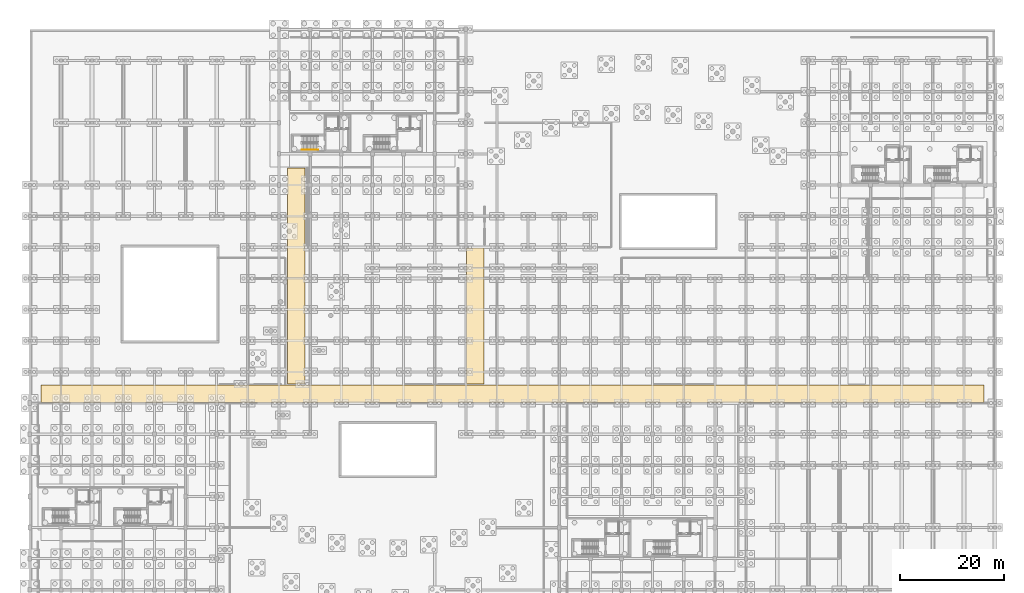
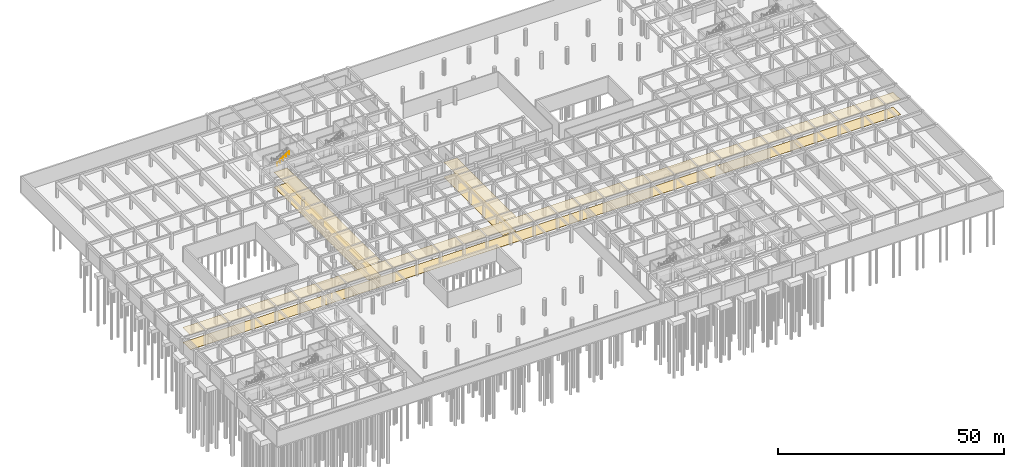
# One storey, part 38 of 41: 6 coverings, 1 railing.
"""IFC4 building model written with IfcOpenShell, lengths in metres."""

from ifc_helpers import new_model, si_unit, direction, frame, origin, origin_2d, place, context, subcontext, project, spatial, polyline, circle, outline, extrude, material, layer, layer_set, type_object, element, save


model = new_model("IFC4")

# Units and contexts
model_context = context("Model", 3, precision=1e-05, world=origin(), true_north=direction((0.0, 1.0)))
body_context = subcontext(model_context, "Body", "Model", "MODEL_VIEW")
ifc_project = project(units=[si_unit("LENGTHUNIT", "METRE"), si_unit("AREAUNIT", "SQUARE_METRE"), si_unit("VOLUMEUNIT", "CUBIC_METRE"), si_unit("PLANEANGLEUNIT", "RADIAN"), si_unit("MASSUNIT", "GRAM", prefix="KILO"), si_unit("POWERUNIT", "WATT"), si_unit("THERMODYNAMICTEMPERATUREUNIT", "KELVIN")], contexts=[model_context])

# Site, building, storey
site_placement = place(None, origin())
site = spatial("IfcSite", under=ifc_project, at=site_placement, CompositionType="ELEMENT")
building_placement = place(site_placement, origin())
building = spatial("IfcBuilding", under=site, at=building_placement, Name="Ruvembo Vaulted Housing Court", CompositionType="ELEMENT")
storey_placement = place(building_placement, frame((0.0, 0.0, -4.5)))
storey = spatial("IfcBuildingStorey", under=building, at=storey_placement, Name="B1", CompositionType="ELEMENT", Elevation=-4.5)

# Coverings
ifc_material_1 = material(Name="Perforated Mineral-Fibre Acoustic Tile", Category="gypsum")
ifc_layer_1 = layer(ifc_material_1, 0.02001953125, Name="Perforated Mineral-Fibre Acoustic Tile")
ifc_layer_set_1 = layer_set([ifc_layer_1], Name="Perforated Mineral-Fibre Acoustic Tile")
covering_type_1 = type_object("IfcCoveringType", Name="COV-CEIL-ACOUST", PredefinedType="CEILING", material=ifc_layer_set_1)
covering_1_placement = place(storey_placement, frame((0.0, 0.0, 4.02001953125)))
element("IfcCovering", 1, at=covering_1_placement, inside=storey, type_object=covering_type_1, Name="Basement Main E-W Spine Corridor Ceiling", PredefinedType="CEILING", context=body_context, shape_type="SweptSolid", body=[
    extrude(outline(polyline([(2.110107421875, 42.110107421875), (183.889892578125, 42.110107421875), (183.889892578125, 45.489990234375), (2.110107421875, 45.489990234375), (2.110107421875, 42.110107421875)])), origin(), (0.0, 0.0, 1.0), 0.02001953125),
])
covering_2_placement = place(storey_placement, frame((0.0, 0.0, 4.02001953125)))
element("IfcCovering", 2, at=covering_2_placement, inside=storey, type_object=covering_type_1, Name="Basement North-Central Link Corridor Ceiling", PredefinedType="CEILING", context=body_context, shape_type="SweptSolid", body=[
    extrude(outline(polyline([(49.610107421875, 45.7099609375), (52.989990234375, 45.7099609375), (52.989990234375, 87.2900390625), (49.610107421875, 87.2900390625), (49.610107421875, 45.7099609375)])), origin(), (0.0, 0.0, 1.0), 0.02001953125),
])
covering_3_placement = place(storey_placement, frame((0.0, 0.0, 4.02001953125)))
element("IfcCovering", 3, at=covering_3_placement, inside=storey, type_object=covering_type_1, Name="Basement Central Cistern Passage Ceiling", PredefinedType="CEILING", context=body_context, shape_type="SweptSolid", body=[
    extrude(outline(polyline([(87.489990234375, 45.7099609375), (87.489990234375, 71.889892578125), (84.110107421875, 71.889892578125), (84.110107421875, 45.7099609375), (87.489990234375, 45.7099609375)])), origin(), (0.0, 0.0, 1.0), 0.02001953125),
])
ifc_material_2 = material(Name="Polished Cement-Aggregate Terrazzo", Category="stone")
ifc_layer_2 = layer(ifc_material_2, 0.02197265625, Name="Polished Cement-Aggregate Terrazzo")
ifc_layer_set_2 = layer_set([ifc_layer_2], Name="Polished Cement-Aggregate Terrazzo")
covering_type_2 = type_object("IfcCoveringType", Name="COV-FLR-CERAMIC", PredefinedType="FLOORING", material=ifc_layer_set_2)
covering_4_placement = place(storey_placement, origin())
element("IfcCovering", 4, at=covering_4_placement, inside=storey, type_object=covering_type_2, Name="Basement Main E-W Spine Corridor Flooring", PredefinedType="FLOORING", context=body_context, shape_type="SweptSolid", body=[
    extrude(outline(polyline([(2.110107421875, 42.110107421875), (183.889892578125, 42.110107421875), (183.889892578125, 45.489990234375), (2.110107421875, 45.489990234375), (2.110107421875, 42.110107421875)])), origin(), (0.0, 0.0, 1.0), 0.02197265625),
])
covering_5_placement = place(storey_placement, origin())
element("IfcCovering", 5, at=covering_5_placement, inside=storey, type_object=covering_type_2, Name="Basement North-Central Link Corridor Flooring", PredefinedType="FLOORING", context=body_context, shape_type="SweptSolid", body=[
    extrude(outline(polyline([(49.610107421875, 45.7099609375), (52.989990234375, 45.7099609375), (52.989990234375, 87.2900390625), (49.610107421875, 87.2900390625), (49.610107421875, 45.7099609375)])), origin(), (0.0, 0.0, 1.0), 0.02197265625),
])
covering_6_placement = place(storey_placement, origin())
element("IfcCovering", 6, at=covering_6_placement, inside=storey, type_object=covering_type_2, Name="Basement Central Cistern Passage Flooring", PredefinedType="FLOORING", context=body_context, shape_type="SweptSolid", body=[
    extrude(outline(polyline([(87.489990234375, 45.7099609375), (87.489990234375, 71.889892578125), (84.110107421875, 71.889892578125), (84.110107421875, 45.7099609375), (87.489990234375, 45.7099609375)])), origin(), (0.0, 0.0, 1.0), 0.02197265625),
])

# Railing
ifc_material_3 = material(Name="Brushed Stainless Steel 304", Category="steel")
ifc_layer_3 = layer(ifc_material_3, 0.050048828125, Name="Brushed Stainless Steel 304")
ifc_layer_set_3 = layer_set([ifc_layer_3], Name="Brushed Stainless Steel 304")
railing_type = type_object("IfcRailingType", Name="RL-STAIR-HR920", PredefinedType="HANDRAIL", material=ifc_layer_set_3)
railing_placement = place(storey_placement, frame((52.419921875, 90.800048828125, 2.629150390625)))
element("IfcRailing", 7, at=railing_placement, inside=storey, type_object=railing_type, Name="B1 ST-B1 stair handrail 2", PredefinedType="HANDRAIL", context=body_context, shape_type="SweptSolid", body=[
    extrude(circle(Radius=0.02392578125, at=origin_2d()), frame((0.0, 0.0, 0.8759765625), z_axis=(0.830913701846, 0.0, 0.55640131208), x_axis=(0.0, 1.0, 0.0)), (0.0, 0.0, 1.0), 3.706787109375),
    extrude(circle(Radius=0.02099609375, at=origin_2d()), origin(), (0.0, 0.0, 1.0), 0.851806640625),
    extrude(circle(Radius=0.02099609375, at=origin_2d()), frame((0.77001953125, 0.0, 0.515625)), (0.0, 0.0, 1.0), 0.851806640625),
    extrude(circle(Radius=0.02099609375, at=origin_2d()), frame((1.5400390625, 0.0, 1.03125)), (0.0, 0.0, 1.0), 0.851806640625),
    extrude(circle(Radius=0.02099609375, at=origin_2d()), frame((2.31005859375, 0.0, 1.546875)), (0.0, 0.0, 1.0), 0.851806640625),
    extrude(circle(Radius=0.02099609375, at=origin_2d()), frame((3.080078125, 0.0, 2.0625)), (0.0, 0.0, 1.0), 0.851806640625),
])

save(model, "model.ifc")
